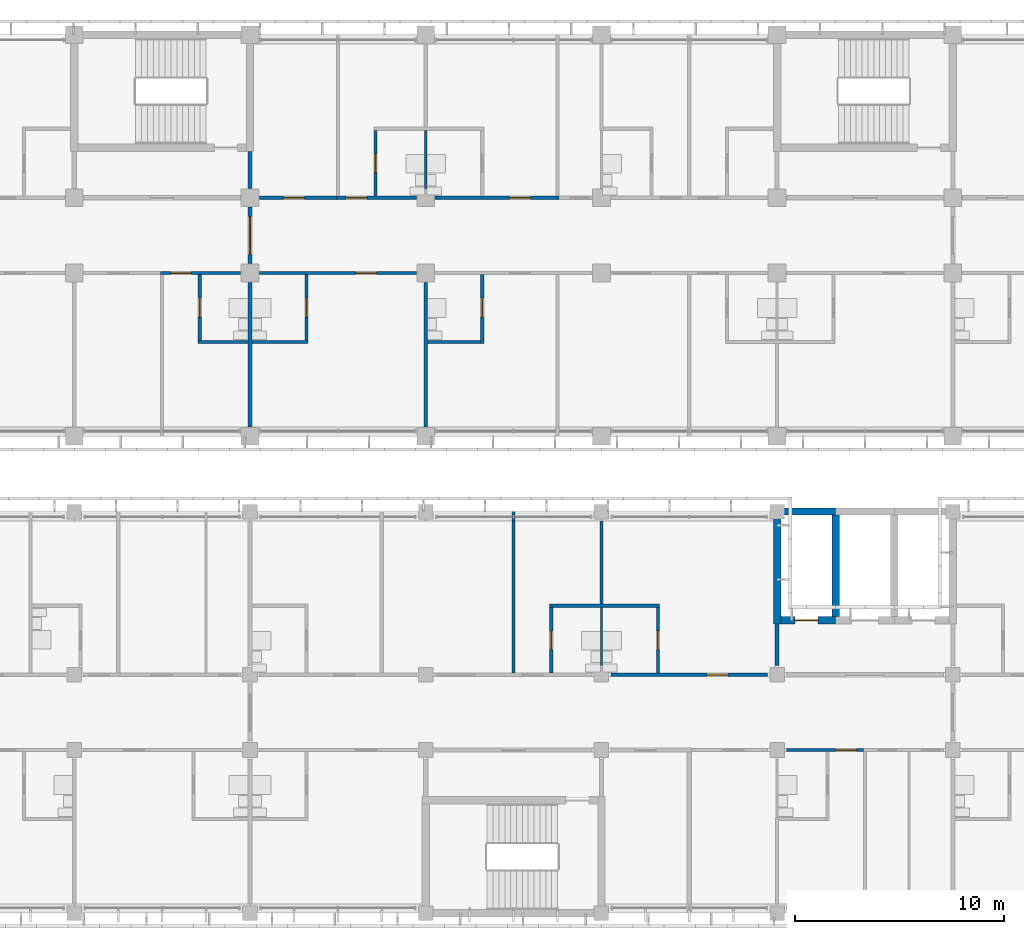
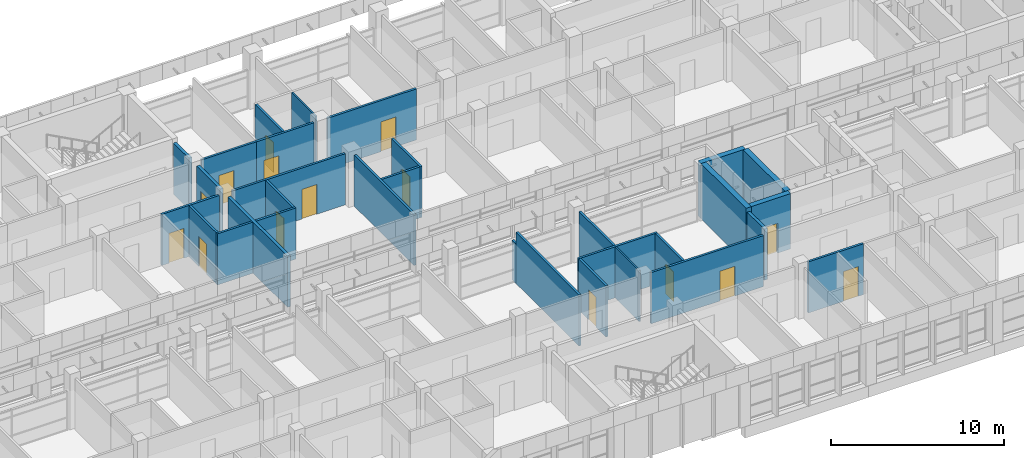
# One storey, part 36 of 74: 31 walls, 15 doors, 15 openings.
"""IFC4 building model written with IfcOpenShell, lengths in metres."""

from ifc_helpers import new_model, si_unit, direction, frame, frame_2d, origin, place, context, subcontext, project, spatial, rectangle, extrude, material, layer, layer_set, type_object, element, fill, save


model = new_model("IFC4")

# Units and contexts
model_context = context("Model", 3, precision=1e-05, world=origin(), true_north=direction((0.0, 1.0)))
body_context = subcontext(model_context, "Body", "Model", "MODEL_VIEW")
ifc_project = project(units=[si_unit("LENGTHUNIT", "METRE"), si_unit("AREAUNIT", "SQUARE_METRE"), si_unit("VOLUMEUNIT", "CUBIC_METRE"), si_unit("PLANEANGLEUNIT", "RADIAN"), si_unit("MASSUNIT", "GRAM", prefix="KILO")], contexts=[model_context])

# Site, building, storey
site_placement = place(None, origin())
site = spatial("IfcSite", under=ifc_project, at=site_placement, CompositionType="ELEMENT")
building_placement = place(site_placement, origin())
building = spatial("IfcBuilding", under=site, at=building_placement, Name="Bougainvillea Quay General Hospital", CompositionType="ELEMENT")
storey_placement = place(building_placement, frame((0.0, 0.0, 21.0)))
storey = spatial("IfcBuildingStorey", under=building, at=storey_placement, Name="L04", CompositionType="ELEMENT", Elevation=21.0)

# Walls
ifc_material_1 = material(Name="Gypsum board partition on steel studs", Category="steel")
ifc_layer_1 = layer(ifc_material_1, 0.10009765625)
ifc_layer_set_1 = layer_set([ifc_layer_1], Name="Gypsum board partition on steel studs")
wall_type_1 = type_object("IfcWallType", Name="Partition 100 Gypsum board partition", PredefinedType="PARTITIONING", material=ifc_layer_set_1)
wall_1_placement = place(storey_placement, frame((126.0, 129.449951171875, 0.0), z_axis=(0.0, 0.0, 1.0), x_axis=(0.0, 1.0, 0.0)))
element("IfcWall", 1, at=wall_1_placement, inside=storey, type_object=wall_type_1, Name="Partition 100 mm", PredefinedType="PARTITIONING", context=body_context, shape_type="SweptSolid", body=[
    extrude(rectangle(XDim=2.775146484375, YDim=0.10009765625, at=frame_2d((1.3876953125, 0.0))), origin(), (0.0, 0.0, 1.0), 3.60009765625),
])
wall_2_placement = place(storey_placement, frame((117.60009765625, 152.25, 0.0), z_axis=(0.0, 0.0, 1.0), x_axis=(0.0, 1.0, 0.0)))
element("IfcWall", 2, at=wall_2_placement, inside=storey, type_object=wall_type_1, Name="Partition 100 mm", PredefinedType="PARTITIONING", context=body_context, shape_type="SweptSolid", body=[
    extrude(rectangle(XDim=2.77490234375, YDim=0.10009765625, at=frame_2d((1.387451171875, 0.0))), origin(), (0.0, 0.0, 1.0), 3.60009765625),
])
ifc_material_2 = material(Name="Gypsum board partition on steel studs, insulated", Category="steel")
ifc_layer_2 = layer(ifc_material_2, 0.14990234375)
ifc_layer_set_2 = layer_set([ifc_layer_2], Name="Gypsum board partition on steel studs, insulated")
wall_type_2 = type_object("IfcWallType", Name="Partition 150 Gypsum board partition", PredefinedType="PARTITIONING", material=ifc_layer_set_2)
wall_3_placement = place(storey_placement, frame((121.800048828125, 129.074951171875, 0.0), z_axis=(0.0, 0.0, 1.0), x_axis=(0.0, 1.0, 0.0)))
element("IfcWall", 3, at=wall_3_placement, inside=storey, type_object=wall_type_2, Name="Partition 150 mm", PredefinedType="PARTITIONING", context=body_context, shape_type="SweptSolid", body=[
    extrude(rectangle(XDim=7.275146484375, YDim=0.14990234375, at=frame_2d((3.6376953125, 0.0))), origin(), (0.0, 0.0, 1.0), 3.60009765625),
])
wall_4_placement = place(storey_placement, frame((121.800048828125, 136.35009765625, 0.0), z_axis=(0.0, 0.0, 1.0), x_axis=(0.0, 1.0, 0.0)))
element("IfcWall", 4, at=wall_4_placement, inside=storey, type_object=wall_type_2, Name="Partition 150 mm", PredefinedType="PARTITIONING", context=body_context, shape_type="SweptSolid", body=[
    extrude(rectangle(XDim=0.449951171875, YDim=0.14990234375, at=frame_2d((0.22509765625, 0.0))), origin(), (0.0, 0.0, 1.0), 2.780029296875),
])
wall_5_placement = place(storey_placement, frame((117.60009765625, 140.85009765625, 0.0), z_axis=(0.0, 0.0, 1.0), x_axis=(0.0, 1.0, 0.0)))
element("IfcWall", 5, at=wall_5_placement, inside=storey, type_object=wall_type_2, Name="Partition 150 mm", PredefinedType="PARTITIONING", context=body_context, shape_type="SweptSolid", body=[
    extrude(rectangle(XDim=6.89990234375, YDim=0.14990234375, at=frame_2d((3.449951171875, 0.0))), origin(), (0.0, 0.0, 1.0), 3.60009765625),
])
wall_6_placement = place(storey_placement, frame((106.72509765625, 144.89990234375, 0.0), z_axis=(0.0, 0.0, 1.0), x_axis=(1.0, 0.0, 0.0)))
element("IfcWall", 6, at=wall_6_placement, inside=storey, type_object=wall_type_2, Name="Partition 150 mm", PredefinedType="PARTITIONING", context=body_context, shape_type="SweptSolid", body=[
    extrude(rectangle(XDim=2.375, YDim=0.14990234375, at=frame_2d((1.1875, 0.0))), origin(), (0.0, 0.0, 1.0), 3.60009765625),
])
wall_7_placement = place(storey_placement, frame((109.300048828125, 144.89990234375, 0.0), z_axis=(0.0, 0.0, 1.0), x_axis=(1.0, 0.0, 0.0)))
element("IfcWall", 7, at=wall_7_placement, inside=storey, type_object=wall_type_2, Name="Partition 150 mm", PredefinedType="PARTITIONING", context=body_context, shape_type="SweptSolid", body=[
    extrude(rectangle(XDim=2.675048828125, YDim=0.14990234375, at=frame_2d((1.33740234375, 0.0))), origin(), (0.0, 0.0, 1.0), 3.60009765625),
])
wall_8_placement = place(storey_placement, frame((123.52490234375, 132.300048828125, 0.0), z_axis=(0.0, 0.0, 1.0), x_axis=(1.0, 0.0, 0.0)))
element("IfcWall", 8, at=wall_8_placement, inside=storey, type_object=wall_type_2, Name="Partition 150 mm", PredefinedType="PARTITIONING", context=body_context, shape_type="SweptSolid", body=[
    extrude(rectangle(XDim=5.25, YDim=0.14990234375, at=frame_2d((2.625, 0.0))), origin(), (0.0, 0.0, 1.0), 3.60009765625),
])
wall_9_placement = place(storey_placement, frame((126.0, 132.375, 0.0), z_axis=(0.0, 0.0, 1.0), x_axis=(0.0, 1.0, 0.0)))
element("IfcWall", 9, at=wall_9_placement, inside=storey, type_object=wall_type_2, Name="Partition 150 mm", PredefinedType="PARTITIONING", context=body_context, shape_type="SweptSolid", body=[
    extrude(rectangle(XDim=3.97509765625, YDim=0.14990234375, at=frame_2d((1.987548828125, 0.0))), origin(), (0.0, 0.0, 1.0), 3.60009765625),
])

# Wall, opening, door
wall_10_placement = place(storey_placement, frame((123.60009765625, 129.074951171875, 0.0), z_axis=(0.0, 0.0, 1.0), x_axis=(0.0, 1.0, 0.0)))
wall_10 = element("IfcWall", 10, at=wall_10_placement, inside=storey, type_object=wall_type_2, Name="Partition 150 mm", PredefinedType="PARTITIONING", context=body_context, shape_type="SweptSolid", body=[
    extrude(rectangle(XDim=3.150146484375, YDim=0.14990234375, at=frame_2d((1.5751953125, 0.0))), origin(), (0.0, 0.0, 1.0), 3.60009765625),
])
opening_1_placement = place(wall_10_placement, frame((1.125, 0.0, 0.0)))
opening_1 = element("IfcOpeningElement", 11, at=opening_1_placement, cuts=wall_10, Name="Opening L04.114", PredefinedType="OPENING", context=body_context, shape_type="SweptSolid", body=[
    extrude(rectangle(XDim=0.89990234375, YDim=2.10009765625, at=frame_2d((0.449951171875, 1.050048828125))), frame((0.0, 0.0849609375, 0.0), z_axis=(0.0, -1.0, 0.0), x_axis=(1.0, 0.0, 0.0)), (0.0, 0.0, 1.0), 0.169921875),
])
ifc_material_3 = material(Name="Solid-core timber door leaf in steel frame", Category="steel")
door_type_1 = type_object("IfcDoorType", Name="Single leaf door 900x2100", OperationType="NOTDEFINED", PredefinedType="DOOR", material=ifc_material_3)
door_1_placement = place(opening_1_placement, frame((0.89990234375, 0.0, 0.0), z_axis=(0.0, 0.0, 1.0), x_axis=(-1.0, 0.0, 0.0)))
door_1 = element("IfcDoor", 12, at=door_1_placement, inside=storey, type_object=door_type_1, Name="DT07 L04.114", OperationType="SINGLE_SWING_LEFT", OverallHeight=2.10009765625, OverallWidth=0.89990234375, PredefinedType="DOOR", context=body_context, shape_type="SweptSolid", body=[
    extrude(rectangle(XDim=0.89990234375, YDim=2.10009765625, at=frame_2d((0.449951171875, 1.050048828125))), frame((0.0, 0.02490234375, 0.0), z_axis=(0.0, -1.0, 0.0), x_axis=(1.0, 0.0, 0.0)), (0.0, 0.0, 1.0), 0.050048828125),
])
fill(opening_1, door_1)

wall_11_placement = place(storey_placement, frame((128.699951171875, 129.074951171875, 0.0), z_axis=(0.0, 0.0, 1.0), x_axis=(0.0, 1.0, 0.0)))
wall_11 = element("IfcWall", 13, at=wall_11_placement, inside=storey, type_object=wall_type_2, Name="Partition 150 mm", PredefinedType="PARTITIONING", context=body_context, shape_type="SweptSolid", body=[
    extrude(rectangle(XDim=3.150146484375, YDim=0.14990234375, at=frame_2d((1.5751953125, 0.0))), origin(), (0.0, 0.0, 1.0), 3.60009765625),
])
opening_2_placement = place(wall_11_placement, frame((1.125, 0.0, 0.0)))
opening_2 = element("IfcOpeningElement", 14, at=opening_2_placement, cuts=wall_11, Name="Opening L04.116", PredefinedType="OPENING", context=body_context, shape_type="SweptSolid", body=[
    extrude(rectangle(XDim=0.89990234375, YDim=2.10009765625, at=frame_2d((0.449951171875, 1.050048828125))), frame((0.0, 0.0849609375, 0.0), z_axis=(0.0, -1.0, 0.0), x_axis=(1.0, 0.0, 0.0)), (0.0, 0.0, 1.0), 0.169921875),
])
door_2_placement = place(opening_2_placement, origin())
door_2 = element("IfcDoor", 15, at=door_2_placement, inside=storey, type_object=door_type_1, Name="DT07 L04.116", OperationType="SINGLE_SWING_RIGHT", OverallHeight=2.10009765625, OverallWidth=0.89990234375, PredefinedType="DOOR", context=body_context, shape_type="SweptSolid", body=[
    extrude(rectangle(XDim=0.89990234375, YDim=2.10009765625, at=frame_2d((0.449951171875, 1.050048828125))), frame((0.0, 0.02490234375, 0.0), z_axis=(0.0, -1.0, 0.0), x_axis=(1.0, 0.0, 0.0)), (0.0, 0.0, 1.0), 0.050048828125),
])
fill(opening_2, door_2)

wall_12_placement = place(storey_placement, frame((106.800048828125, 144.97509765625, 0.0), z_axis=(0.0, 0.0, 1.0), x_axis=(0.0, 1.0, 0.0)))
wall_12 = element("IfcWall", 16, at=wall_12_placement, inside=storey, type_object=wall_type_2, Name="Partition 150 mm", PredefinedType="PARTITIONING", context=body_context, shape_type="SweptSolid", body=[
    extrude(rectangle(XDim=3.14990234375, YDim=0.14990234375, at=frame_2d((1.574951171875, 0.0))), origin(), (0.0, 0.0, 1.0), 3.60009765625),
])
opening_3_placement = place(wall_12_placement, frame((1.125, 0.0, 0.0)))
opening_3 = element("IfcOpeningElement", 17, at=opening_3_placement, cuts=wall_12, Name="Opening L04.027", PredefinedType="OPENING", context=body_context, shape_type="SweptSolid", body=[
    extrude(rectangle(XDim=0.89990234375, YDim=2.10009765625, at=frame_2d((0.449951171875, 1.050048828125))), frame((0.0, 0.0849609375, 0.0), z_axis=(0.0, -1.0, 0.0), x_axis=(1.0, 0.0, 0.0)), (0.0, 0.0, 1.0), 0.169921875),
])
door_3_placement = place(opening_3_placement, frame((0.89990234375, 0.0, 0.0), z_axis=(0.0, 0.0, 1.0), x_axis=(-1.0, 0.0, 0.0)))
door_3 = element("IfcDoor", 18, at=door_3_placement, inside=storey, type_object=door_type_1, Name="DT07 L04.027", OperationType="SINGLE_SWING_LEFT", OverallHeight=2.10009765625, OverallWidth=0.89990234375, PredefinedType="DOOR", context=body_context, shape_type="SweptSolid", body=[
    extrude(rectangle(XDim=0.89990234375, YDim=2.10009765625, at=frame_2d((0.449951171875, 1.050048828125))), frame((0.0, 0.02490234375, 0.0), z_axis=(0.0, -1.0, 0.0), x_axis=(1.0, 0.0, 0.0)), (0.0, 0.0, 1.0), 0.050048828125),
])
fill(opening_3, door_3)

wall_13_placement = place(storey_placement, frame((111.89990234375, 144.97509765625, 0.0), z_axis=(0.0, 0.0, 1.0), x_axis=(0.0, 1.0, 0.0)))
wall_13 = element("IfcWall", 19, at=wall_13_placement, inside=storey, type_object=wall_type_2, Name="Partition 150 mm", PredefinedType="PARTITIONING", context=body_context, shape_type="SweptSolid", body=[
    extrude(rectangle(XDim=3.14990234375, YDim=0.14990234375, at=frame_2d((1.574951171875, 0.0))), origin(), (0.0, 0.0, 1.0), 3.60009765625),
])
opening_4_placement = place(wall_13_placement, frame((1.125, 0.0, 0.0)))
opening_4 = element("IfcOpeningElement", 20, at=opening_4_placement, cuts=wall_13, Name="Opening L04.031", PredefinedType="OPENING", context=body_context, shape_type="SweptSolid", body=[
    extrude(rectangle(XDim=0.89990234375, YDim=2.10009765625, at=frame_2d((0.449951171875, 1.050048828125))), frame((0.0, 0.0849609375, 0.0), z_axis=(0.0, -1.0, 0.0), x_axis=(1.0, 0.0, 0.0)), (0.0, 0.0, 1.0), 0.169921875),
])
door_4_placement = place(opening_4_placement, origin())
door_4 = element("IfcDoor", 21, at=door_4_placement, inside=storey, type_object=door_type_1, Name="DT07 L04.031", OperationType="SINGLE_SWING_RIGHT", OverallHeight=2.10009765625, OverallWidth=0.89990234375, PredefinedType="DOOR", context=body_context, shape_type="SweptSolid", body=[
    extrude(rectangle(XDim=0.89990234375, YDim=2.10009765625, at=frame_2d((0.449951171875, 1.050048828125))), frame((0.0, 0.02490234375, 0.0), z_axis=(0.0, -1.0, 0.0), x_axis=(1.0, 0.0, 0.0)), (0.0, 0.0, 1.0), 0.050048828125),
])
fill(opening_4, door_4)

wall_14_placement = place(storey_placement, frame((115.199951171875, 151.875, 0.0), z_axis=(0.0, 0.0, 1.0), x_axis=(0.0, 1.0, 0.0)))
wall_14 = element("IfcWall", 22, at=wall_14_placement, inside=storey, type_object=wall_type_2, Name="Partition 150 mm", PredefinedType="PARTITIONING", context=body_context, shape_type="SweptSolid", body=[
    extrude(rectangle(XDim=3.14990234375, YDim=0.14990234375, at=frame_2d((1.574951171875, 0.0))), origin(), (0.0, 0.0, 1.0), 3.60009765625),
])
opening_5_placement = place(wall_14_placement, frame((1.125, 0.0, 0.0)))
opening_5 = element("IfcOpeningElement", 23, at=opening_5_placement, cuts=wall_14, Name="Opening L04.041", PredefinedType="OPENING", context=body_context, shape_type="SweptSolid", body=[
    extrude(rectangle(XDim=0.89990234375, YDim=2.10009765625, at=frame_2d((0.449951171875, 1.050048828125))), frame((0.0, 0.0849609375, 0.0), z_axis=(0.0, -1.0, 0.0), x_axis=(1.0, 0.0, 0.0)), (0.0, 0.0, 1.0), 0.169921875),
])
door_5_placement = place(opening_5_placement, frame((0.89990234375, 0.0, 0.0), z_axis=(0.0, 0.0, 1.0), x_axis=(-1.0, 0.0, 0.0)))
door_5 = element("IfcDoor", 24, at=door_5_placement, inside=storey, type_object=door_type_1, Name="DT07 L04.041", OperationType="SINGLE_SWING_LEFT", OverallHeight=2.10009765625, OverallWidth=0.89990234375, PredefinedType="DOOR", context=body_context, shape_type="SweptSolid", body=[
    extrude(rectangle(XDim=0.89990234375, YDim=2.10009765625, at=frame_2d((0.449951171875, 1.050048828125))), frame((0.0, 0.02490234375, 0.0), z_axis=(0.0, -1.0, 0.0), x_axis=(1.0, 0.0, 0.0)), (0.0, 0.0, 1.0), 0.050048828125),
])
fill(opening_5, door_5)

wall_15_placement = place(storey_placement, frame((120.300048828125, 144.824951171875, 0.0), z_axis=(0.0, 0.0, 1.0), x_axis=(0.0, 1.0, 0.0)))
wall_15 = element("IfcWall", 25, at=wall_15_placement, inside=storey, type_object=wall_type_2, Name="Partition 150 mm", PredefinedType="PARTITIONING", context=body_context, shape_type="SweptSolid", body=[
    extrude(rectangle(XDim=3.300048828125, YDim=0.14990234375, at=frame_2d((1.64990234375, 0.0))), origin(), (0.0, 0.0, 1.0), 3.60009765625),
])
opening_6_placement = place(wall_15_placement, frame((1.27490234375, 0.0, 0.0)))
opening_6 = element("IfcOpeningElement", 26, at=opening_6_placement, cuts=wall_15, Name="Opening L04.033", PredefinedType="OPENING", context=body_context, shape_type="SweptSolid", body=[
    extrude(rectangle(XDim=0.89990234375, YDim=2.10009765625, at=frame_2d((0.449951171875, 1.050048828125))), frame((0.0, 0.0849609375, 0.0), z_axis=(0.0, -1.0, 0.0), x_axis=(1.0, 0.0, 0.0)), (0.0, 0.0, 1.0), 0.169921875),
])
door_6_placement = place(opening_6_placement, origin())
door_6 = element("IfcDoor", 27, at=door_6_placement, inside=storey, type_object=door_type_1, Name="DT07 L04.033", OperationType="SINGLE_SWING_RIGHT", OverallHeight=2.10009765625, OverallWidth=0.89990234375, PredefinedType="DOOR", context=body_context, shape_type="SweptSolid", body=[
    extrude(rectangle(XDim=0.89990234375, YDim=2.10009765625, at=frame_2d((0.449951171875, 1.050048828125))), frame((0.0, 0.02490234375, 0.0), z_axis=(0.0, -1.0, 0.0), x_axis=(1.0, 0.0, 0.0)), (0.0, 0.0, 1.0), 0.050048828125),
])
fill(opening_6, door_6)

# Wall
wall_16_placement = place(storey_placement, frame((117.675048828125, 144.89990234375, 0.0), z_axis=(0.0, 0.0, 1.0), x_axis=(1.0, 0.0, 0.0)))
element("IfcWall", 28, at=wall_16_placement, inside=storey, type_object=wall_type_2, Name="Partition 150 mm", PredefinedType="PARTITIONING", context=body_context, shape_type="SweptSolid", body=[
    extrude(rectangle(XDim=2.550048828125, YDim=0.14990234375, at=frame_2d((1.27490234375, 0.0))), origin(), (0.0, 0.0, 1.0), 3.60009765625),
])

# Wall, opening, door
ifc_layer_3 = layer(ifc_material_2, 0.14990234375)
ifc_layer_set_3 = layer_set([ifc_layer_3], Name="Gypsum board partition on steel studs, insulated")
wall_type_3 = type_object("IfcWallType", Name="Partition 150 Gypsum board partition EI 30", PredefinedType="PARTITIONING", material=ifc_layer_set_3)
wall_17_placement = place(storey_placement, frame((117.14990234375, 148.199951171875, 0.0), z_axis=(0.0, 0.0, 1.0), x_axis=(-1.0, 0.0, 0.0)))
wall_17 = element("IfcWall", 29, at=wall_17_placement, inside=storey, type_object=wall_type_3, Name="Partition 150 mm EI 30", PredefinedType="PARTITIONING", context=body_context, shape_type="SweptSolid", body=[
    extrude(rectangle(XDim=7.5, YDim=0.14990234375, at=frame_2d((3.75, 0.0))), origin(), (0.0, 0.0, 1.0), 3.60009765625),
])
opening_7_placement = place(wall_17_placement, frame((1.89990234375, 0.0, 0.0)))
opening_7 = element("IfcOpeningElement", 30, at=opening_7_placement, cuts=wall_17, Name="Opening L04.030", PredefinedType="OPENING", context=body_context, shape_type="SweptSolid", body=[
    extrude(rectangle(XDim=1.0, YDim=2.10009765625, at=frame_2d((0.5, 1.050048828125))), frame((0.0, 0.0849609375, 0.0), z_axis=(0.0, -1.0, 0.0), x_axis=(1.0, 0.0, 0.0)), (0.0, 0.0, 1.0), 0.169921875),
])
door_type_2 = type_object("IfcDoorType", Name="Single leaf door 1000x2100 FD30S", OperationType="NOTDEFINED", PredefinedType="DOOR", material=ifc_material_3)
door_7_placement = place(opening_7_placement, origin())
door_7 = element("IfcDoor", 31, at=door_7_placement, inside=storey, type_object=door_type_2, Name="DT15 L04.030", OperationType="SINGLE_SWING_LEFT", OverallHeight=2.10009765625, OverallWidth=1.0, PredefinedType="DOOR", context=body_context, shape_type="SweptSolid", body=[
    extrude(rectangle(XDim=1.0, YDim=2.10009765625, at=frame_2d((0.5, 1.050048828125))), frame((0.0, 0.02490234375, 0.0), z_axis=(0.0, -1.0, 0.0), x_axis=(1.0, 0.0, 0.0)), (0.0, 0.0, 1.0), 0.050048828125),
])
fill(opening_7, door_7)

wall_18_placement = place(storey_placement, frame((108.75, 148.199951171875, 0.0), z_axis=(0.0, 0.0, 1.0), x_axis=(-1.0, 0.0, 0.0)))
wall_18 = element("IfcWall", 32, at=wall_18_placement, inside=storey, type_object=wall_type_3, Name="Partition 150 mm EI 30", PredefinedType="PARTITIONING", context=body_context, shape_type="SweptSolid", body=[
    extrude(rectangle(XDim=3.824951171875, YDim=0.14990234375, at=frame_2d((1.91259765625, 0.0))), origin(), (0.0, 0.0, 1.0), 3.60009765625),
])
opening_8_placement = place(wall_18_placement, frame((2.35009765625, 0.0, 0.0)))
opening_8 = element("IfcOpeningElement", 33, at=opening_8_placement, cuts=wall_18, Name="Opening L04.026", PredefinedType="OPENING", context=body_context, shape_type="SweptSolid", body=[
    extrude(rectangle(XDim=1.0, YDim=2.10009765625, at=frame_2d((0.5, 1.050048828125))), frame((0.0, 0.0849609375, 0.0), z_axis=(0.0, -1.0, 0.0), x_axis=(1.0, 0.0, 0.0)), (0.0, 0.0, 1.0), 0.169921875),
])
door_8_placement = place(opening_8_placement, origin())
door_8 = element("IfcDoor", 34, at=door_8_placement, inside=storey, type_object=door_type_2, Name="DT15 L04.026", OperationType="SINGLE_SWING_RIGHT", OverallHeight=2.10009765625, OverallWidth=1.0, PredefinedType="DOOR", context=body_context, shape_type="SweptSolid", body=[
    extrude(rectangle(XDim=1.0, YDim=2.10009765625, at=frame_2d((0.5, 1.050048828125))), frame((0.0, 0.02490234375, 0.0), z_axis=(0.0, -1.0, 0.0), x_axis=(1.0, 0.0, 0.0)), (0.0, 0.0, 1.0), 0.050048828125),
])
fill(opening_8, door_8)

wall_19_placement = place(storey_placement, frame((133.949951171875, 129.0, 0.0), z_axis=(0.0, 0.0, 1.0), x_axis=(-1.0, 0.0, 0.0)))
wall_19 = element("IfcWall", 35, at=wall_19_placement, inside=storey, type_object=wall_type_3, Name="Partition 150 mm EI 30", PredefinedType="PARTITIONING", context=body_context, shape_type="SweptSolid", body=[
    extrude(rectangle(XDim=7.5, YDim=0.14990234375, at=frame_2d((3.75, 0.0))), origin(), (0.0, 0.0, 1.0), 3.60009765625),
])
opening_9_placement = place(wall_19_placement, frame((1.89990234375, 0.0, 0.0)))
opening_9 = element("IfcOpeningElement", 36, at=opening_9_placement, cuts=wall_19, Name="Opening L04.115", PredefinedType="OPENING", context=body_context, shape_type="SweptSolid", body=[
    extrude(rectangle(XDim=1.0, YDim=2.10009765625, at=frame_2d((0.5, 1.050048828125))), frame((0.0, 0.0849609375, 0.0), z_axis=(0.0, -1.0, 0.0), x_axis=(1.0, 0.0, 0.0)), (0.0, 0.0, 1.0), 0.169921875),
])
door_9_placement = place(opening_9_placement, frame((1.0, 0.0, 0.0), z_axis=(0.0, 0.0, 1.0), x_axis=(-1.0, 0.0, 0.0)))
door_9 = element("IfcDoor", 37, at=door_9_placement, inside=storey, type_object=door_type_2, Name="DT15 L04.115", OperationType="SINGLE_SWING_RIGHT", OverallHeight=2.10009765625, OverallWidth=1.0, PredefinedType="DOOR", context=body_context, shape_type="SweptSolid", body=[
    extrude(rectangle(XDim=1.0, YDim=2.10009765625, at=frame_2d((0.5, 1.050048828125))), frame((0.0, 0.02490234375, 0.0), z_axis=(0.0, -1.0, 0.0), x_axis=(1.0, 0.0, 0.0)), (0.0, 0.0, 1.0), 0.050048828125),
])
fill(opening_9, door_9)

wall_20_placement = place(storey_placement, frame((123.97509765625, 151.800048828125, 0.0), z_axis=(0.0, 0.0, 1.0), x_axis=(-1.0, 0.0, 0.0)))
wall_20 = element("IfcWall", 38, at=wall_20_placement, inside=storey, type_object=wall_type_3, Name="Partition 150 mm EI 30", PredefinedType="PARTITIONING", context=body_context, shape_type="SweptSolid", body=[
    extrude(rectangle(XDim=5.925048828125, YDim=0.14990234375, at=frame_2d((2.96240234375, 0.0))), origin(), (0.0, 0.0, 1.0), 3.60009765625),
])
opening_10_placement = place(wall_20_placement, frame((1.375, 0.0, 0.0)))
opening_10 = element("IfcOpeningElement", 39, at=opening_10_placement, cuts=wall_20, Name="Opening L04.042", PredefinedType="OPENING", context=body_context, shape_type="SweptSolid", body=[
    extrude(rectangle(XDim=1.0, YDim=2.10009765625, at=frame_2d((0.5, 1.050048828125))), frame((0.0, 0.0849609375, 0.0), z_axis=(0.0, -1.0, 0.0), x_axis=(1.0, 0.0, 0.0)), (0.0, 0.0, 1.0), 0.169921875),
])
door_10_placement = place(opening_10_placement, frame((1.0, 0.0, 0.0), z_axis=(0.0, 0.0, 1.0), x_axis=(-1.0, 0.0, 0.0)))
door_10 = element("IfcDoor", 40, at=door_10_placement, inside=storey, type_object=door_type_2, Name="DT15 L04.042", OperationType="SINGLE_SWING_RIGHT", OverallHeight=2.10009765625, OverallWidth=1.0, PredefinedType="DOOR", context=body_context, shape_type="SweptSolid", body=[
    extrude(rectangle(XDim=1.0, YDim=2.10009765625, at=frame_2d((0.5, 1.050048828125))), frame((0.0, 0.02490234375, 0.0), z_axis=(0.0, -1.0, 0.0), x_axis=(1.0, 0.0, 0.0)), (0.0, 0.0, 1.0), 0.050048828125),
])
fill(opening_10, door_10)

wall_21_placement = place(storey_placement, frame((117.14990234375, 151.800048828125, 0.0), z_axis=(0.0, 0.0, 1.0), x_axis=(-1.0, 0.0, 0.0)))
wall_21 = element("IfcWall", 41, at=wall_21_placement, inside=storey, type_object=wall_type_3, Name="Partition 150 mm EI 30", PredefinedType="PARTITIONING", context=body_context, shape_type="SweptSolid", body=[
    extrude(rectangle(XDim=3.824951171875, YDim=0.14990234375, at=frame_2d((1.91259765625, 0.0))), origin(), (0.0, 0.0, 1.0), 3.60009765625),
])
opening_11_placement = place(wall_21_placement, frame((2.35009765625, 0.0, 0.0)))
opening_11 = element("IfcOpeningElement", 42, at=opening_11_placement, cuts=wall_21, Name="Opening L04.040", PredefinedType="OPENING", context=body_context, shape_type="SweptSolid", body=[
    extrude(rectangle(XDim=1.0, YDim=2.10009765625, at=frame_2d((0.5, 1.050048828125))), frame((0.0, 0.0849609375, 0.0), z_axis=(0.0, -1.0, 0.0), x_axis=(1.0, 0.0, 0.0)), (0.0, 0.0, 1.0), 0.169921875),
])
door_11_placement = place(opening_11_placement, frame((1.0, 0.0, 0.0), z_axis=(0.0, 0.0, 1.0), x_axis=(-1.0, 0.0, 0.0)))
door_11 = element("IfcDoor", 43, at=door_11_placement, inside=storey, type_object=door_type_2, Name="DT15 L04.040", OperationType="SINGLE_SWING_LEFT", OverallHeight=2.10009765625, OverallWidth=1.0, PredefinedType="DOOR", context=body_context, shape_type="SweptSolid", body=[
    extrude(rectangle(XDim=1.0, YDim=2.10009765625, at=frame_2d((0.5, 1.050048828125))), frame((0.0, 0.02490234375, 0.0), z_axis=(0.0, -1.0, 0.0), x_axis=(1.0, 0.0, 0.0)), (0.0, 0.0, 1.0), 0.050048828125),
])
fill(opening_11, door_11)

wall_22_placement = place(storey_placement, frame((134.85009765625, 125.39990234375, 0.0), z_axis=(0.0, 0.0, 1.0), x_axis=(1.0, 0.0, 0.0)))
wall_22 = element("IfcWall", 44, at=wall_22_placement, inside=storey, type_object=wall_type_3, Name="Partition 150 mm EI 30", PredefinedType="PARTITIONING", context=body_context, shape_type="SweptSolid", body=[
    extrude(rectangle(XDim=3.6748046875, YDim=0.14990234375, at=frame_2d((1.83740234375, 0.0))), origin(), (0.0, 0.0, 1.0), 3.60009765625),
])
opening_12_placement = place(wall_22_placement, frame((2.35009765625, 0.0, 0.0)))
opening_12 = element("IfcOpeningElement", 45, at=opening_12_placement, cuts=wall_22, Name="Opening L04.118", PredefinedType="OPENING", context=body_context, shape_type="SweptSolid", body=[
    extrude(rectangle(XDim=1.0, YDim=2.10009765625, at=frame_2d((0.5, 1.050048828125))), frame((0.0, 0.0849609375, 0.0), z_axis=(0.0, -1.0, 0.0), x_axis=(1.0, 0.0, 0.0)), (0.0, 0.0, 1.0), 0.169921875),
])
door_12_placement = place(opening_12_placement, frame((1.0, 0.0, 0.0), z_axis=(0.0, 0.0, 1.0), x_axis=(-1.0, 0.0, 0.0)))
door_12 = element("IfcDoor", 46, at=door_12_placement, inside=storey, type_object=door_type_2, Name="DT15 L04.118", OperationType="SINGLE_SWING_LEFT", OverallHeight=2.10009765625, OverallWidth=1.0, PredefinedType="DOOR", context=body_context, shape_type="SweptSolid", body=[
    extrude(rectangle(XDim=1.0, YDim=2.10009765625, at=frame_2d((0.5, 1.050048828125))), frame((0.0, 0.02490234375, 0.0), z_axis=(0.0, -1.0, 0.0), x_axis=(1.0, 0.0, 0.0)), (0.0, 0.0, 1.0), 0.050048828125),
])
fill(opening_12, door_12)

ifc_layer_4 = layer(ifc_material_2, 0.14990234375)
ifc_layer_set_4 = layer_set([ifc_layer_4], Name="Gypsum board partition on steel studs, insulated")
wall_type_4 = type_object("IfcWallType", Name="Partition 150 Gypsum board partition EI 60", PredefinedType="PARTITIONING", material=ifc_layer_set_4)
wall_23_placement = place(storey_placement, frame((109.64990234375, 151.800048828125, 0.0), z_axis=(0.0, 0.0, 1.0), x_axis=(1.0, 0.0, 0.0)))
wall_23 = element("IfcWall", 47, at=wall_23_placement, inside=storey, type_object=wall_type_4, Name="Partition 150 mm EI 60", PredefinedType="PARTITIONING", context=body_context, shape_type="SweptSolid", body=[
    extrude(rectangle(XDim=3.675048828125, YDim=0.14990234375, at=frame_2d((1.83740234375, 0.0))), origin(), (0.0, 0.0, 1.0), 3.60009765625),
])
opening_13_placement = place(wall_23_placement, frame((1.14990234375, 0.0, 0.0)))
opening_13 = element("IfcOpeningElement", 48, at=opening_13_placement, cuts=wall_23, Name="Opening L04.039", PredefinedType="OPENING", context=body_context, shape_type="SweptSolid", body=[
    extrude(rectangle(XDim=1.0, YDim=2.10009765625, at=frame_2d((0.5, 1.050048828125))), frame((0.0, 0.0849609375, 0.0), z_axis=(0.0, -1.0, 0.0), x_axis=(1.0, 0.0, 0.0)), (0.0, 0.0, 1.0), 0.169921875),
])
door_type_3 = type_object("IfcDoorType", Name="Single leaf door 1000x2100 FD60", OperationType="NOTDEFINED", PredefinedType="DOOR", material=ifc_material_3)
door_13_placement = place(opening_13_placement, origin())
door_13 = element("IfcDoor", 49, at=door_13_placement, inside=storey, type_object=door_type_3, Name="DT14 L04.039", OperationType="SINGLE_SWING_LEFT", OverallHeight=2.10009765625, OverallWidth=1.0, PredefinedType="DOOR", context=body_context, shape_type="SweptSolid", body=[
    extrude(rectangle(XDim=1.0, YDim=2.10009765625, at=frame_2d((0.5, 1.050048828125))), frame((0.0, 0.02490234375, 0.0), z_axis=(0.0, -1.0, 0.0), x_axis=(1.0, 0.0, 0.0)), (0.0, 0.0, 1.0), 0.050048828125),
])
fill(opening_13, door_13)

# Wall
ifc_material_4 = material(Name="Fire-rated autoclaved aerated block wall, plastered")
ifc_layer_5 = layer(ifc_material_4, 0.199951171875)
ifc_layer_set_5 = layer_set([ifc_layer_5], Name="Fire-rated autoclaved aerated block wall, plastered")
wall_type_5 = type_object("IfcWallType", Name="Partition 200 Fire-rated autoclaved aerated block wall EI 120", PredefinedType="SOLIDWALL", material=ifc_layer_set_5)
wall_24_placement = place(storey_placement, frame((109.199951171875, 154.02490234375, 0.0), z_axis=(0.0, 0.0, 1.0), x_axis=(0.0, -1.0, 0.0)))
element("IfcWall", 50, at=wall_24_placement, inside=storey, type_object=wall_type_5, Name="Partition 200 mm EI 120", PredefinedType="SOLIDWALL", context=body_context, shape_type="SweptSolid", body=[
    extrude(rectangle(XDim=1.77490234375, YDim=0.199951171875, at=frame_2d((0.887451171875, 0.0))), origin(), (0.0, 0.0, 1.0), 3.60009765625),
])

# Wall, opening, door
wall_25_placement = place(storey_placement, frame((109.199951171875, 151.35009765625, 0.0), z_axis=(0.0, 0.0, 1.0), x_axis=(0.0, -1.0, 0.0)))
wall_25 = element("IfcWall", 51, at=wall_25_placement, inside=storey, type_object=wall_type_5, Name="Partition 200 mm EI 120", PredefinedType="SOLIDWALL", context=body_context, shape_type="SweptSolid", body=[
    extrude(rectangle(XDim=2.7001953125, YDim=0.199951171875, at=frame_2d((1.35009765625, 0.0))), origin(), (0.0, 0.0, 1.0), 3.60009765625),
])
opening_14_placement = place(wall_25_placement, frame((0.449951171875, 0.0, 0.0)))
opening_14 = element("IfcOpeningElement", 52, at=opening_14_placement, cuts=wall_25, Name="Opening L04.002", PredefinedType="OPENING", context=body_context, shape_type="SweptSolid", body=[
    extrude(rectangle(XDim=1.800048828125, YDim=2.10009765625, at=frame_2d((0.89990234375, 1.050048828125))), frame((0.0, 0.10986328125, 0.0), z_axis=(0.0, -1.0, 0.0), x_axis=(1.0, 0.0, 0.0)), (0.0, 0.0, 1.0), 0.219970703125),
])
ifc_material_5 = material(Name="Steel fire door leaves in steel frame", Category="steel")
door_type_4 = type_object("IfcDoorType", Name="Steel double leaf door 1800x2100 FD90", OperationType="DOUBLE_DOOR_SINGLE_SWING", PredefinedType="DOOR", material=ifc_material_5)
door_14_placement = place(opening_14_placement, origin())
door_14 = element("IfcDoor", 53, at=door_14_placement, inside=storey, type_object=door_type_4, Name="DT03 L04.002", OperationType="DOUBLE_DOOR_SINGLE_SWING", OverallHeight=2.10009765625, OverallWidth=1.800048828125, PredefinedType="DOOR", context=body_context, shape_type="SweptSolid", body=[
    extrude(rectangle(XDim=1.800048828125, YDim=2.10009765625, at=frame_2d((0.89990234375, 1.050048828125))), frame((0.0, 0.02490234375, 0.0), z_axis=(0.0, -1.0, 0.0), x_axis=(1.0, 0.0, 0.0)), (0.0, 0.0, 1.0), 0.050048828125),
])
fill(opening_14, door_14)

# Walls
wall_26_placement = place(storey_placement, frame((109.199951171875, 147.75, 0.0), z_axis=(0.0, 0.0, 1.0), x_axis=(0.0, -1.0, 0.0)))
element("IfcWall", 54, at=wall_26_placement, inside=storey, type_object=wall_type_5, Name="Partition 200 mm EI 120", PredefinedType="SOLIDWALL", context=body_context, shape_type="SweptSolid", body=[
    extrude(rectangle(XDim=6.89990234375, YDim=0.199951171875, at=frame_2d((3.449951171875, 0.0))), origin(), (0.0, 0.0, 1.0), 3.60009765625),
])
wall_27_placement = place(storey_placement, frame((134.39990234375, 129.449951171875, 0.0), z_axis=(0.0, 0.0, 1.0), x_axis=(0.0, 1.0, 0.0)))
element("IfcWall", 55, at=wall_27_placement, inside=storey, type_object=wall_type_5, Name="Partition 200 mm EI 120", PredefinedType="SOLIDWALL", context=body_context, shape_type="SweptSolid", body=[
    extrude(rectangle(XDim=1.97509765625, YDim=0.199951171875, at=frame_2d((0.987548828125, 0.0))), origin(), (0.0, 0.0, 1.0), 3.60009765625),
])
ifc_material_6 = material(Name="Concrete C40", Category="concrete")
ifc_layer_6 = layer(ifc_material_6, 0.35009765625)
ifc_layer_set_6 = layer_set([ifc_layer_6], Name="Concrete C40")
wall_type_6 = type_object("IfcWallType", Name="RC SHEAR WALL 350 C40", PredefinedType="SHEAR", material=ifc_layer_set_6)
wall_28_placement = place(storey_placement, frame((134.22509765625, 136.800048828125, 0.0), z_axis=(0.0, 0.0, 1.0), x_axis=(1.0, 0.0, 0.0)))
element("IfcWall", 56, at=wall_28_placement, inside=storey, type_object=wall_type_6, Name="Shear wall L04", PredefinedType="SHEAR", context=body_context, shape_type="SweptSolid", body=[
    extrude(rectangle(XDim=2.974853515625, YDim=0.35009765625, at=frame_2d((1.4873046875, 0.0))), origin(), (0.0, 0.0, 1.0), 3.89990234375),
])
wall_29_placement = place(storey_placement, frame((134.39990234375, 131.425048828125, 0.0), z_axis=(0.0, 0.0, 1.0), x_axis=(0.0, 1.0, 0.0)))
element("IfcWall", 57, at=wall_29_placement, inside=storey, type_object=wall_type_6, Name="Shear wall L04", PredefinedType="SHEAR", context=body_context, shape_type="SweptSolid", body=[
    extrude(rectangle(XDim=5.199951171875, YDim=0.35009765625, at=frame_2d((2.60009765625, 0.0))), origin(), (0.0, 0.0, 1.0), 3.89990234375),
])

# Wall, opening, door
wall_30_placement = place(storey_placement, frame((134.574951171875, 131.60009765625, 0.0), z_axis=(0.0, 0.0, 1.0), x_axis=(1.0, 0.0, 0.0)))
wall_30 = element("IfcWall", 58, at=wall_30_placement, inside=storey, type_object=wall_type_6, Name="Shear wall L04", PredefinedType="SHEAR", context=body_context, shape_type="SweptSolid", body=[
    extrude(rectangle(XDim=2.625, YDim=0.35009765625, at=frame_2d((1.3125, 0.0))), origin(), (0.0, 0.0, 1.0), 3.89990234375),
])
opening_15_placement = place(wall_30_placement, frame((0.675048828125, 0.0, 0.0)))
opening_15 = element("IfcOpeningElement", 59, at=opening_15_placement, cuts=wall_30, Name="Opening LD-B2.1-L04", PredefinedType="OPENING", context=body_context, shape_type="SweptSolid", body=[
    extrude(rectangle(XDim=1.10009765625, YDim=2.10009765625, at=frame_2d((0.550048828125, 1.050048828125))), frame((0.0, 0.18505859375, 0.0), z_axis=(0.0, -1.0, 0.0), x_axis=(1.0, 0.0, 0.0)), (0.0, 0.0, 1.0), 0.3701171875),
])
ifc_material_7 = material(Name="Stainless steel centre-opening landing door", Category="steel")
door_type_5 = type_object("IfcDoorType", Name="Lift landing door 1100x2100 E 120", OperationType="DOUBLE_DOOR_SLIDING", PredefinedType="DOOR", material=ifc_material_7)
door_15_placement = place(opening_15_placement, origin())
door_15 = element("IfcDoor", 60, at=door_15_placement, inside=storey, type_object=door_type_5, Name="Lift landing door LB-B2-1 L04", OperationType="DOUBLE_DOOR_SLIDING", OverallHeight=2.10009765625, OverallWidth=1.10009765625, PredefinedType="DOOR", context=body_context, shape_type="SweptSolid", body=[
    extrude(rectangle(XDim=1.10009765625, YDim=2.10009765625, at=frame_2d((0.550048828125, 1.050048828125))), frame((0.0, 0.02490234375, 0.0), z_axis=(0.0, -1.0, 0.0), x_axis=(1.0, 0.0, 0.0)), (0.0, 0.0, 1.0), 0.050048828125),
])
fill(opening_15, door_15)

# Wall
wall_31_placement = place(storey_placement, frame((137.199951171875, 131.77490234375, 0.0), z_axis=(0.0, 0.0, 1.0), x_axis=(0.0, 1.0, 0.0)))
element("IfcWall", 61, at=wall_31_placement, inside=storey, type_object=wall_type_6, Name="Shear wall L04", PredefinedType="SHEAR", context=body_context, shape_type="SweptSolid", body=[
    extrude(rectangle(XDim=4.85009765625, YDim=0.35009765625, at=frame_2d((2.425048828125, 0.0))), origin(), (0.0, 0.0, 1.0), 3.89990234375),
])

save(model, "model.ifc")
